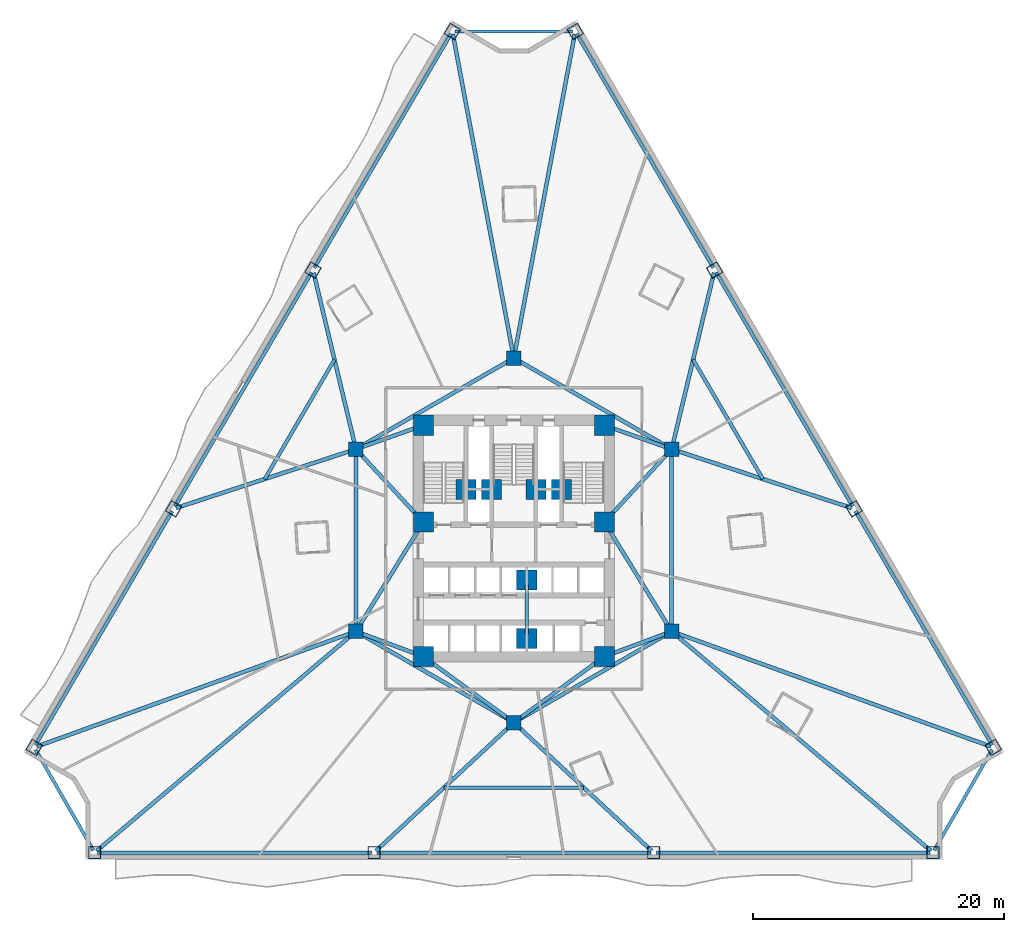
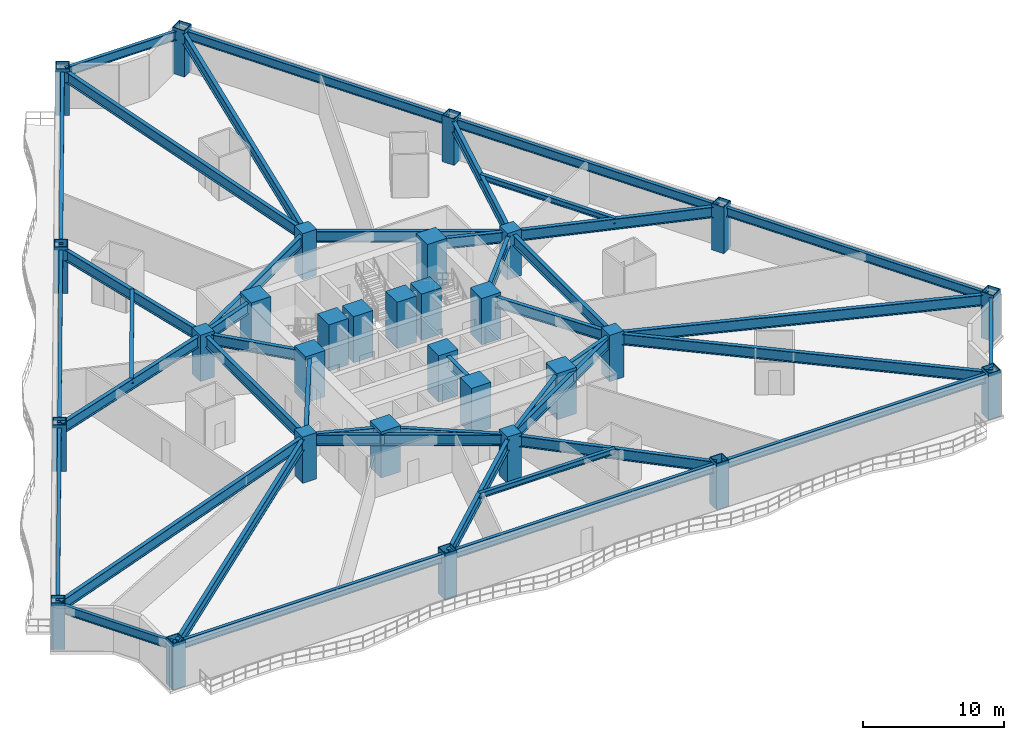
# One storey, part 1 of 11: 44 beams, 30 columns.
"""IFC4 building model written with IfcOpenShell, lengths in metres."""

from ifc_helpers import new_model, si_unit, direction, frame, origin, origin_2d, place, context, subcontext, project, spatial, rectangle, hollow_rectangle, i_section, extrude, material, material_profile, profile_set, type_object, element, save


model = new_model("IFC4")

# Units and contexts
model_context = context("Model", 3, precision=1e-05, world=origin(), true_north=direction((0.0, 1.0)))
body_context = subcontext(model_context, "Body", "Model", "MODEL_VIEW")
ifc_project = project(units=[si_unit("LENGTHUNIT", "METRE"), si_unit("AREAUNIT", "SQUARE_METRE"), si_unit("VOLUMEUNIT", "CUBIC_METRE"), si_unit("PLANEANGLEUNIT", "RADIAN"), si_unit("MASSUNIT", "GRAM", prefix="KILO")], contexts=[model_context])

# Site, building, storey
site_placement = place(None, origin())
site = spatial("IfcSite", under=ifc_project, at=site_placement, CompositionType="ELEMENT")
building_placement = place(site_placement, origin())
building = spatial("IfcBuilding", under=site, at=building_placement, Name="Apsidion Concourse Tower", CompositionType="ELEMENT")
storey_placement = place(building_placement, frame((0.0, 0.0, 46.39990234375)))
storey = spatial("IfcBuildingStorey", under=building, at=storey_placement, Name="L09", CompositionType="ELEMENT", Elevation=46.39990234375)

# Columns
ifc_material_1 = material(Name="Structural steel ASTM A572 Grade 50", Category="steel")
ifc_material_profile_1 = material_profile(ifc_material_1, hollow_rectangle(XDim=1.0, YDim=1.0, WallThickness=0.06005859375, at=origin_2d()), Name="BOX1000X1000X60")
ifc_profile_set_1 = profile_set([ifc_material_profile_1], Name="Structural steel ASTM A572 Grade 50")
column_type_1 = type_object("IfcColumnType", Name="COL-BOX-1000", PredefinedType="COLUMN", material=ifc_profile_set_1)
for number, where, z_axis, x_axis, name in (
    (1, (-4.887451171875, 40.481201171875, 0.0), (0.0, 0.0, 1.0), (0.50437692518, 0.863483594138, 0.0), "L09 Rotated Perimeter Column PC01"),
    (2, (-15.976318359375, 21.49365234375, 0.0), (0.0, 0.0, 1.0), (0.50437692518, 0.863483594138, 0.0), "L09 Rotated Perimeter Column PC02"),
    (3, (-27.065185546875, 2.50634765625, 0.0), (0.0, 0.0, 1.0), (0.50437692518, 0.863483594138, 0.0), "L09 Rotated Perimeter Column PC03"),
    (4, (-38.154052734375, -16.481201171875, 0.0), (0.0, 0.0, 1.0), (0.50437692518, 0.863483594138, 0.0), "L09 Rotated Perimeter Column PC04"),
    (5, (-33.35009765625, -24.85009765625, 0.0), (0.0, 0.0, 1.0), (1.0, 0.0, 0.0), "L09 Rotated Perimeter Column PC05"),
    (6, (-11.11669921875, -24.85009765625, 0.0), (0.0, 0.0, 1.0), (1.0, 0.0, 0.0), "L09 Rotated Perimeter Column PC06"),
    (7, (11.11669921875, -24.85009765625, 0.0), (0.0, 0.0, 1.0), (1.0, 0.0, 0.0), "L09 Rotated Perimeter Column PC07"),
    (8, (33.35009765625, -24.85009765625, 0.0), (0.0, 0.0, 1.0), (1.0, 0.0, 0.0), "L09 Rotated Perimeter Column PC08"),
    (9, (38.154052734375, -16.481201171875, 0.0), (0.0, 0.0, 1.0), (-0.50437692518, 0.863483594138, 0.0), "L09 Rotated Perimeter Column PC09"),
    (10, (27.065185546875, 2.50634765625, 0.0), (0.0, 0.0, 1.0), (-0.50437692518, 0.863483594138, 0.0), "L09 Rotated Perimeter Column PC10"),
    (11, (15.976318359375, 21.49365234375, 0.0), (0.0, 0.0, 1.0), (-0.50437692518, 0.863483594138, 0.0), "L09 Rotated Perimeter Column PC11"),
    (12, (4.887451171875, 40.481201171875, 0.0), (0.0, 0.0, 1.0), (-0.50437692518, 0.863483594138, 0.0), "L09 Rotated Perimeter Column PC12"),
):
    element("IfcColumn", number, at=place(storey_placement, frame(where, z_axis=z_axis, x_axis=x_axis)), inside=storey, type_object=column_type_1, Name=name, PredefinedType="COLUMN", context=body_context, shape_type="SweptSolid", body=[
        extrude(hollow_rectangle(XDim=1.0, YDim=1.0, WallThickness=0.06005859375, at=origin_2d()), origin(), (0.0, 0.0, 1.0), 4.0),
    ])
ifc_material_2 = material(Name="Concrete C50/60", Category="concrete")
ifc_material_profile_2 = material_profile(ifc_material_2, rectangle(XDim=1.14990234375, YDim=1.14990234375, at=origin_2d()), Name="RC 1150x1150")
ifc_profile_set_2 = profile_set([ifc_material_profile_2], Name="Concrete C50/60")
column_type_2 = type_object("IfcColumnType", Name="COL-RC-1150", PredefinedType="COLUMN", material=ifc_profile_set_2)
for number, where, z_axis, x_axis, name in (
    (13, (-12.56005859375, -7.25, 0.0), (0.0, 0.0, 1.0), (1.0, 0.0, 0.0), "L09 Interior Spine Column IC1"),
    (14, (12.56005859375, -7.25, 0.0), (0.0, 0.0, 1.0), (1.0, 0.0, 0.0), "L09 Interior Spine Column IC2"),
    (15, (12.56005859375, 7.25, 0.0), (0.0, 0.0, 1.0), (1.0, 0.0, 0.0), "L09 Interior Spine Column IC3"),
    (16, (0.0, 14.5, 0.0), (0.0, 0.0, 1.0), (1.0, 0.0, 0.0), "L09 Interior Spine Column IC4"),
    (17, (-12.56005859375, 7.25, 0.0), (0.0, 0.0, 1.0), (1.0, 0.0, 0.0), "L09 Interior Spine Column IC5"),
    (18, (0.0, -14.5, 0.0), (0.0, 0.0, 1.0), (1.0, 0.0, 0.0), "L09 Interior Spine Column IC6"),
):
    element("IfcColumn", number, at=place(storey_placement, frame(where, z_axis=z_axis, x_axis=x_axis)), inside=storey, type_object=column_type_2, Name=name, PredefinedType="COLUMN", context=body_context, shape_type="SweptSolid", body=[
        extrude(rectangle(XDim=1.14990234375, YDim=1.14990234375, at=origin_2d()), origin(), (0.0, 0.0, 1.0), 4.0),
    ])
ifc_material_3 = material(Name="Concrete C60/75", Category="concrete")
ifc_material_profile_3 = material_profile(ifc_material_3, rectangle(XDim=1.60009765625, YDim=1.60009765625, at=origin_2d()), Name="RC 1600x1600")
ifc_profile_set_3 = profile_set([ifc_material_profile_3], Name="Concrete C60/75")
column_type_3 = type_object("IfcColumnType", Name="COL-RC-1600", PredefinedType="COLUMN", material=ifc_profile_set_3)
for number, where, z_axis, x_axis, name in (
    (19, (-7.199951171875, -9.25, 0.0), (0.0, 0.0, 1.0), (1.0, 0.0, 0.0), "L09 Core Super-Column SC1"),
    (20, (7.199951171875, -9.25, 0.0), (0.0, 0.0, 1.0), (1.0, 0.0, 0.0), "L09 Core Super-Column SC2"),
    (21, (7.199951171875, 1.449951171875, 0.0), (0.0, 0.0, 1.0), (1.0, 0.0, 0.0), "L09 Core Super-Column SC3"),
    (22, (7.199951171875, 9.14990234375, 0.0), (0.0, 0.0, 1.0), (1.0, 0.0, 0.0), "L09 Core Super-Column SC4"),
    (23, (-7.199951171875, 9.14990234375, 0.0), (0.0, 0.0, 1.0), (1.0, 0.0, 0.0), "L09 Core Super-Column SC5"),
    (24, (-7.199951171875, 1.449951171875, 0.0), (0.0, 0.0, 1.0), (1.0, 0.0, 0.0), "L09 Core Super-Column SC6"),
    (25, (-3.800048828125, 4.050048828125, 0.0), (0.0, 0.0, 1.0), (1.0, 0.0, 0.0), "L09 Core Super-Column CC1"),
    (26, (3.800048828125, 4.050048828125, 0.0), (0.0, 0.0, 1.0), (1.0, 0.0, 0.0), "L09 Core Super-Column CC2"),
    (27, (-1.77490234375, 4.050048828125, 0.0), (0.0, 0.0, 1.0), (1.0, 0.0, 0.0), "L09 Core Super-Column CC3"),
    (28, (1.77490234375, 4.050048828125, 0.0), (0.0, 0.0, 1.0), (1.0, 0.0, 0.0), "L09 Core Super-Column CC4"),
    (29, (1.02490234375, -3.14990234375, 0.0), (0.0, 0.0, 1.0), (1.0, 0.0, 0.0), "L09 Core Super-Column CC5"),
    (30, (1.02490234375, -7.800048828125, 0.0), (0.0, 0.0, 1.0), (1.0, 0.0, 0.0), "L09 Core Super-Column CC6"),
):
    element("IfcColumn", number, at=place(storey_placement, frame(where, z_axis=z_axis, x_axis=x_axis)), inside=storey, type_object=column_type_3, Name=name, PredefinedType="COLUMN", context=body_context, shape_type="SweptSolid", body=[
        extrude(rectangle(XDim=1.60009765625, YDim=1.60009765625, at=origin_2d()), origin(), (0.0, 0.0, 1.0), 4.0),
    ])

# Beams
ifc_material_4 = material(Name="Structural steel ASTM A992 Grade 50", Category="steel")
ifc_material_profile_4 = material_profile(ifc_material_4, i_section(OverallWidth=0.283935546875, OverallDepth=0.47607421875, WebThickness=0.014892578125, FlangeThickness=0.02392578125, at=origin_2d()), Name="W18X106")
ifc_profile_set_4 = profile_set([ifc_material_profile_4], Name="Structural steel ASTM A992 Grade 50")
beam_type_1 = type_object("IfcBeamType", Name="BM-FL-W18H", PredefinedType="BEAM", material=ifc_profile_set_4)
beam_1_placement = place(storey_placement, frame((-14.268310546875, 14.371826171875, 3.51220703125), z_axis=(-0.504293469124, -0.863532336974, 0.0), x_axis=(0.863532336974, -0.504293469124, 0.0)))
element("IfcBeam", 31, at=beam_1_placement, inside=storey, type_object=beam_type_1, Name="L09 Secondary Floor Beam SEC-F1", PredefinedType="BEAM", context=body_context, shape_type="SweptSolid", body=[
    extrude(i_section(OverallWidth=0.283935546875, OverallDepth=0.47607421875, WebThickness=0.014892578125, FlangeThickness=0.02392578125, at=origin_2d()), origin(), (0.0, 0.0, 1.0), 10.993896484375),
])
beam_2_placement = place(storey_placement, frame((-5.558349609375, -19.675048828125, 3.51220703125), z_axis=(1.0, 0.0, 0.0), x_axis=(0.0, 1.0, 0.0)))
element("IfcBeam", 32, at=beam_2_placement, inside=storey, type_object=beam_type_1, Name="L09 Secondary Floor Beam SEC-F2", PredefinedType="BEAM", context=body_context, shape_type="SweptSolid", body=[
    extrude(i_section(OverallWidth=0.283935546875, OverallDepth=0.47607421875, WebThickness=0.014892578125, FlangeThickness=0.02392578125, at=origin_2d()), origin(), (0.0, 0.0, 1.0), 11.11669921875),
])
beam_3_placement = place(storey_placement, frame((19.8125, 4.878173828125, 3.51220703125), z_axis=(-0.504293469124, 0.863532336974, 0.0), x_axis=(-0.863532336974, -0.504293469124, 0.0)))
element("IfcBeam", 33, at=beam_3_placement, inside=storey, type_object=beam_type_1, Name="L09 Secondary Floor Beam SEC-F3", PredefinedType="BEAM", context=body_context, shape_type="SweptSolid", body=[
    extrude(i_section(OverallWidth=0.283935546875, OverallDepth=0.47607421875, WebThickness=0.014892578125, FlangeThickness=0.02392578125, at=origin_2d()), origin(), (0.0, 0.0, 1.0), 10.993896484375),
])
ifc_material_profile_5 = material_profile(ifc_material_4, i_section(OverallWidth=0.31005859375, OverallDepth=0.931884765625, WebThickness=0.02099609375, FlangeThickness=0.034423828125, at=origin_2d()), Name="W36X210")
ifc_profile_set_5 = profile_set([ifc_material_profile_5], Name="Structural steel ASTM A992 Grade 50")
beam_type_2 = type_object("IfcBeamType", Name="BM-G-W36", PredefinedType="USERDEFINED", material=ifc_profile_set_5)
beam_4_placement = place(storey_placement, frame((-12.185302734375, -7.389892578125, 3.2841796875), z_axis=(0.936913021145, -0.349562570664, 0.0), x_axis=(0.349562570664, 0.936913021145, 0.0)))
element("IfcBeam", 34, at=beam_4_placement, inside=storey, type_object=beam_type_2, Name="L09 Core Coupling Girder IC1-SC1", ObjectType="GIRDER", PredefinedType="USERDEFINED", context=body_context, shape_type="SweptSolid", body=[
    extrude(i_section(OverallWidth=0.31005859375, OverallDepth=0.931884765625, WebThickness=0.02099609375, FlangeThickness=0.034423828125, at=origin_2d()), origin(), (0.0, 0.0, 1.0), 4.921142578125),
])
beam_5_placement = place(storey_placement, frame((-12.35009765625, -6.909423828125, 3.2841796875), z_axis=(0.524524009763, 0.851395656074, 0.0), x_axis=(-0.851395656074, 0.524524009763, 0.0)))
element("IfcBeam", 35, at=beam_5_placement, inside=storey, type_object=beam_type_2, Name="L09 Core Coupling Girder IC1-SC6", ObjectType="GIRDER", PredefinedType="USERDEFINED", context=body_context, shape_type="SweptSolid", body=[
    extrude(i_section(OverallWidth=0.31005859375, OverallDepth=0.931884765625, WebThickness=0.02099609375, FlangeThickness=0.034423828125, at=origin_2d()), origin(), (0.0, 0.0, 1.0), 9.41845703125),
])
beam_6_placement = place(storey_placement, frame((12.185302734375, -7.389892578125, 3.2841796875), z_axis=(-0.936913021145, -0.349562570664, 0.0), x_axis=(0.349562570664, -0.936913021145, 0.0)))
element("IfcBeam", 36, at=beam_6_placement, inside=storey, type_object=beam_type_2, Name="L09 Core Coupling Girder IC2-SC2", ObjectType="GIRDER", PredefinedType="USERDEFINED", context=body_context, shape_type="SweptSolid", body=[
    extrude(i_section(OverallWidth=0.31005859375, OverallDepth=0.931884765625, WebThickness=0.02099609375, FlangeThickness=0.034423828125, at=origin_2d()), origin(), (0.0, 0.0, 1.0), 4.921142578125),
])
beam_7_placement = place(storey_placement, frame((12.35009765625, -6.909423828125, 3.2841796875), z_axis=(-0.524524009763, 0.851395656074, 0.0), x_axis=(-0.851395656074, -0.524524009763, 0.0)))
element("IfcBeam", 37, at=beam_7_placement, inside=storey, type_object=beam_type_2, Name="L09 Core Coupling Girder IC2-SC3", ObjectType="GIRDER", PredefinedType="USERDEFINED", context=body_context, shape_type="SweptSolid", body=[
    extrude(i_section(OverallWidth=0.31005859375, OverallDepth=0.931884765625, WebThickness=0.02099609375, FlangeThickness=0.034423828125, at=origin_2d()), origin(), (0.0, 0.0, 1.0), 9.41845703125),
])
beam_8_placement = place(storey_placement, frame((12.28857421875, 6.956298828125, 3.2841796875), z_axis=(-0.678712876106, -0.73440372535, 0.0), x_axis=(0.73440372535, -0.678712876106, 0.0)))
element("IfcBeam", 38, at=beam_8_placement, inside=storey, type_object=beam_type_2, Name="L09 Core Coupling Girder IC3-SC3", ObjectType="GIRDER", PredefinedType="USERDEFINED", context=body_context, shape_type="SweptSolid", body=[
    extrude(i_section(OverallWidth=0.31005859375, OverallDepth=0.931884765625, WebThickness=0.02099609375, FlangeThickness=0.034423828125, at=origin_2d()), origin(), (0.0, 0.0, 1.0), 7.097412109375),
])
beam_9_placement = place(storey_placement, frame((12.18310546875, 7.383544921875, 3.2841796875), z_axis=(-0.942533844539, 0.334110688094, 0.0), x_axis=(-0.334110688094, -0.942533844539, 0.0)))
element("IfcBeam", 39, at=beam_9_placement, inside=storey, type_object=beam_type_2, Name="L09 Core Coupling Girder IC3-SC4", ObjectType="GIRDER", PredefinedType="USERDEFINED", context=body_context, shape_type="SweptSolid", body=[
    extrude(i_section(OverallWidth=0.31005859375, OverallDepth=0.931884765625, WebThickness=0.02099609375, FlangeThickness=0.034423828125, at=origin_2d()), origin(), (0.0, 0.0, 1.0), 4.886962890625),
])
beam_10_placement = place(storey_placement, frame((-12.28857421875, 6.956298828125, 3.2841796875), z_axis=(0.678712876106, -0.73440372535, 0.0), x_axis=(0.73440372535, 0.678712876106, 0.0)))
element("IfcBeam", 40, at=beam_10_placement, inside=storey, type_object=beam_type_2, Name="L09 Core Coupling Girder IC5-SC6", ObjectType="GIRDER", PredefinedType="USERDEFINED", context=body_context, shape_type="SweptSolid", body=[
    extrude(i_section(OverallWidth=0.31005859375, OverallDepth=0.931884765625, WebThickness=0.02099609375, FlangeThickness=0.034423828125, at=origin_2d()), origin(), (0.0, 0.0, 1.0), 7.097412109375),
])
beam_11_placement = place(storey_placement, frame((-12.18310546875, 7.383544921875, 3.2841796875), z_axis=(0.942533844539, 0.334110688094, 0.0), x_axis=(-0.334110688094, 0.942533844539, 0.0)))
element("IfcBeam", 41, at=beam_11_placement, inside=storey, type_object=beam_type_2, Name="L09 Core Coupling Girder IC5-SC5", ObjectType="GIRDER", PredefinedType="USERDEFINED", context=body_context, shape_type="SweptSolid", body=[
    extrude(i_section(OverallWidth=0.31005859375, OverallDepth=0.931884765625, WebThickness=0.02099609375, FlangeThickness=0.034423828125, at=origin_2d()), origin(), (0.0, 0.0, 1.0), 4.886962890625),
])
for number, where, z_axis, x_axis, name in (
    (42, (-0.3232421875, -14.264404296875, 3.2841796875), (-0.807993498909, 0.589191399905, 0.0), (-0.589191399905, -0.807993498909, 0.0), "L09 Core Coupling Girder IC6-SC1"),
    (43, (0.3232421875, -14.264404296875, 3.2841796875), (0.807993498909, 0.589191399905, 0.0), (-0.589191399905, 0.807993498909, 0.0), "L09 Core Coupling Girder IC6-SC2"),
):
    element("IfcBeam", number, at=place(storey_placement, frame(where, z_axis=z_axis, x_axis=x_axis)), inside=storey, type_object=beam_type_2, Name=name, ObjectType="GIRDER", PredefinedType="USERDEFINED", context=body_context, shape_type="SweptSolid", body=[
        extrude(i_section(OverallWidth=0.31005859375, OverallDepth=0.931884765625, WebThickness=0.02099609375, FlangeThickness=0.034423828125, at=origin_2d()), origin(), (0.0, 0.0, 1.0), 8.11083984375),
    ])
beam_12_placement = place(storey_placement, frame((-12.56005859375, -6.85009765625, 3.2841796875), z_axis=(0.0, 1.0, 0.0), x_axis=(-1.0, 0.0, 0.0)))
element("IfcBeam", 44, at=beam_12_placement, inside=storey, type_object=beam_type_2, Name="L09 Core Coupling Girder IC1-IC5", ObjectType="GIRDER", PredefinedType="USERDEFINED", context=body_context, shape_type="SweptSolid", body=[
    extrude(i_section(OverallWidth=0.31005859375, OverallDepth=0.931884765625, WebThickness=0.02099609375, FlangeThickness=0.034423828125, at=origin_2d()), origin(), (0.0, 0.0, 1.0), 13.7001953125),
])
for number, where, z_axis, x_axis, name in (
    (45, (-12.213623046875, 7.449951171875, 3.2841796875), (0.866070471464, 0.499921932364, 0.0), (-0.499921932364, 0.866070471464, 0.0), "L09 Core Coupling Girder IC5-IC4"),
    (46, (0.346435546875, 14.300048828125, 3.2841796875), (0.866070471464, -0.499921932364, 0.0), (0.499921932364, 0.866070471464, 0.0), "L09 Core Coupling Girder IC4-IC3"),
):
    element("IfcBeam", number, at=place(storey_placement, frame(where, z_axis=z_axis, x_axis=x_axis)), inside=storey, type_object=beam_type_2, Name=name, ObjectType="GIRDER", PredefinedType="USERDEFINED", context=body_context, shape_type="SweptSolid", body=[
        extrude(i_section(OverallWidth=0.31005859375, OverallDepth=0.931884765625, WebThickness=0.02099609375, FlangeThickness=0.034423828125, at=origin_2d()), origin(), (0.0, 0.0, 1.0), 13.702392578125),
    ])
beam_13_placement = place(storey_placement, frame((12.56005859375, 6.85009765625, 3.2841796875), z_axis=(0.0, -1.0, 0.0), x_axis=(1.0, 0.0, 0.0)))
element("IfcBeam", 47, at=beam_13_placement, inside=storey, type_object=beam_type_2, Name="L09 Core Coupling Girder IC3-IC2", ObjectType="GIRDER", PredefinedType="USERDEFINED", context=body_context, shape_type="SweptSolid", body=[
    extrude(i_section(OverallWidth=0.31005859375, OverallDepth=0.931884765625, WebThickness=0.02099609375, FlangeThickness=0.034423828125, at=origin_2d()), origin(), (0.0, 0.0, 1.0), 13.7001953125),
])
for number, where, z_axis, x_axis, name in (
    (48, (12.213623046875, -7.449951171875, 3.2841796875), (-0.866070471464, -0.499921932364, 0.0), (0.499921932364, -0.866070471464, 0.0), "L09 Core Coupling Girder IC2-IC6"),
    (49, (-0.346435546875, -14.300048828125, 3.2841796875), (-0.866070471464, 0.499921932364, 0.0), (-0.499921932364, -0.866070471464, 0.0), "L09 Core Coupling Girder IC6-IC1"),
):
    element("IfcBeam", number, at=place(storey_placement, frame(where, z_axis=z_axis, x_axis=x_axis)), inside=storey, type_object=beam_type_2, Name=name, ObjectType="GIRDER", PredefinedType="USERDEFINED", context=body_context, shape_type="SweptSolid", body=[
        extrude(i_section(OverallWidth=0.31005859375, OverallDepth=0.931884765625, WebThickness=0.02099609375, FlangeThickness=0.034423828125, at=origin_2d()), origin(), (0.0, 0.0, 1.0), 13.702392578125),
    ])
beam_14_placement = place(storey_placement, frame((1.02490234375, -3.550048828125, 3.2841796875), z_axis=(0.0, -1.0, 0.0), x_axis=(1.0, 0.0, 0.0)))
element("IfcBeam", 50, at=beam_14_placement, inside=storey, type_object=beam_type_2, Name="L09 Core Coupling Girder CC5-CC6", ObjectType="GIRDER", PredefinedType="USERDEFINED", context=body_context, shape_type="SweptSolid", body=[
    extrude(i_section(OverallWidth=0.31005859375, OverallDepth=0.931884765625, WebThickness=0.02099609375, FlangeThickness=0.034423828125, at=origin_2d()), origin(), (0.0, 0.0, 1.0), 3.849853515625),
])
beam_15_placement = place(storey_placement, frame((-0.040771484375, 14.71630859375, 3.2841796875), z_axis=(-0.184866293989, 0.982763681333, 0.0), x_axis=(-0.982763681333, -0.184866293989, 0.0)))
element("IfcBeam", 51, at=beam_15_placement, inside=storey, type_object=beam_type_2, Name="L09 Radial Floor Girder RAD-01", ObjectType="GIRDER", PredefinedType="USERDEFINED", context=body_context, shape_type="SweptSolid", body=[
    extrude(i_section(OverallWidth=0.31005859375, OverallDepth=0.931884765625, WebThickness=0.02099609375, FlangeThickness=0.034423828125, at=origin_2d()), origin(), (0.0, 0.0, 1.0), 25.99658203125),
])
beam_16_placement = place(storey_placement, frame((-12.611328125, 7.4638671875, 3.2841796875), z_axis=(-0.233233219452, 0.972420827288, 0.0), x_axis=(-0.972420827288, -0.233233219452, 0.0)))
element("IfcBeam", 52, at=beam_16_placement, inside=storey, type_object=beam_type_2, Name="L09 Radial Floor Girder RAD-02", ObjectType="GIRDER", PredefinedType="USERDEFINED", context=body_context, shape_type="SweptSolid", body=[
    extrude(i_section(OverallWidth=0.31005859375, OverallDepth=0.931884765625, WebThickness=0.02099609375, FlangeThickness=0.034423828125, at=origin_2d()), origin(), (0.0, 0.0, 1.0), 14.207763671875),
])
beam_17_placement = place(storey_placement, frame((-12.76904296875, 7.181640625, 3.2841796875), z_axis=(-0.950465100465, -0.310831293145, 0.0), x_axis=(0.310831293145, -0.950465100465, 0.0)))
element("IfcBeam", 53, at=beam_17_placement, inside=storey, type_object=beam_type_2, Name="L09 Radial Floor Girder RAD-03", ObjectType="GIRDER", PredefinedType="USERDEFINED", context=body_context, shape_type="SweptSolid", body=[
    extrude(i_section(OverallWidth=0.31005859375, OverallDepth=0.931884765625, WebThickness=0.02099609375, FlangeThickness=0.034423828125, at=origin_2d()), origin(), (0.0, 0.0, 1.0), 14.8212890625),
])
beam_18_placement = place(storey_placement, frame((-12.76708984375, -7.32470703125, 3.2841796875), z_axis=(-0.940684701446, -0.339282024968, 0.0), x_axis=(0.339282024968, -0.940684701446, 0.0)))
element("IfcBeam", 54, at=beam_18_placement, inside=storey, type_object=beam_type_2, Name="L09 Radial Floor Girder RAD-04", ObjectType="GIRDER", PredefinedType="USERDEFINED", context=body_context, shape_type="SweptSolid", body=[
    extrude(i_section(OverallWidth=0.31005859375, OverallDepth=0.931884765625, WebThickness=0.02099609375, FlangeThickness=0.034423828125, at=origin_2d()), origin(), (0.0, 0.0, 1.0), 26.767578125),
])
beam_19_placement = place(storey_placement, frame((-12.727783203125, -7.39208984375, 3.2841796875), z_axis=(-0.763231804576, -0.646124765416, 0.0), x_axis=(0.646124765416, -0.763231804576, 0.0)))
element("IfcBeam", 55, at=beam_19_placement, inside=storey, type_object=beam_type_2, Name="L09 Radial Floor Girder RAD-05", ObjectType="GIRDER", PredefinedType="USERDEFINED", context=body_context, shape_type="SweptSolid", body=[
    extrude(i_section(OverallWidth=0.31005859375, OverallDepth=0.931884765625, WebThickness=0.02099609375, FlangeThickness=0.034423828125, at=origin_2d()), origin(), (0.0, 0.0, 1.0), 26.799560546875),
])
for number, where, z_axis, x_axis, name in (
    (56, (-0.160888671875, -14.64990234375, 3.2841796875), (-0.731899098402, -0.681413024353, 0.0), (0.681413024353, -0.731899098402, 0.0), "L09 Radial Floor Girder RAD-06"),
    (57, (0.160888671875, -14.64990234375, 3.2841796875), (0.731899098402, -0.681413024353, 0.0), (0.681413024353, 0.731899098402, 0.0), "L09 Radial Floor Girder RAD-07"),
):
    element("IfcBeam", number, at=place(storey_placement, frame(where, z_axis=z_axis, x_axis=x_axis)), inside=storey, type_object=beam_type_2, Name=name, ObjectType="GIRDER", PredefinedType="USERDEFINED", context=body_context, shape_type="SweptSolid", body=[
        extrude(i_section(OverallWidth=0.31005859375, OverallDepth=0.931884765625, WebThickness=0.02099609375, FlangeThickness=0.034423828125, at=origin_2d()), origin(), (0.0, 0.0, 1.0), 14.749267578125),
    ])
beam_20_placement = place(storey_placement, frame((12.727783203125, -7.39208984375, 3.2841796875), z_axis=(0.763231804576, -0.646124765416, 0.0), x_axis=(0.646124765416, 0.763231804576, 0.0)))
element("IfcBeam", 58, at=beam_20_placement, inside=storey, type_object=beam_type_2, Name="L09 Radial Floor Girder RAD-08", ObjectType="GIRDER", PredefinedType="USERDEFINED", context=body_context, shape_type="SweptSolid", body=[
    extrude(i_section(OverallWidth=0.31005859375, OverallDepth=0.931884765625, WebThickness=0.02099609375, FlangeThickness=0.034423828125, at=origin_2d()), origin(), (0.0, 0.0, 1.0), 26.799560546875),
])
beam_21_placement = place(storey_placement, frame((12.76708984375, -7.32470703125, 3.2841796875), z_axis=(0.940684701446, -0.339282024968, 0.0), x_axis=(0.339282024968, 0.940684701446, 0.0)))
element("IfcBeam", 59, at=beam_21_placement, inside=storey, type_object=beam_type_2, Name="L09 Radial Floor Girder RAD-09", ObjectType="GIRDER", PredefinedType="USERDEFINED", context=body_context, shape_type="SweptSolid", body=[
    extrude(i_section(OverallWidth=0.31005859375, OverallDepth=0.931884765625, WebThickness=0.02099609375, FlangeThickness=0.034423828125, at=origin_2d()), origin(), (0.0, 0.0, 1.0), 26.767578125),
])
beam_22_placement = place(storey_placement, frame((12.76904296875, 7.181640625, 3.2841796875), z_axis=(0.950465100465, -0.310831293145, 0.0), x_axis=(0.310831293145, 0.950465100465, 0.0)))
element("IfcBeam", 60, at=beam_22_placement, inside=storey, type_object=beam_type_2, Name="L09 Radial Floor Girder RAD-10", ObjectType="GIRDER", PredefinedType="USERDEFINED", context=body_context, shape_type="SweptSolid", body=[
    extrude(i_section(OverallWidth=0.31005859375, OverallDepth=0.931884765625, WebThickness=0.02099609375, FlangeThickness=0.034423828125, at=origin_2d()), origin(), (0.0, 0.0, 1.0), 14.8212890625),
])
beam_23_placement = place(storey_placement, frame((12.611328125, 7.4638671875, 3.2841796875), z_axis=(0.233233219452, 0.972420827288, 0.0), x_axis=(-0.972420827288, 0.233233219452, 0.0)))
element("IfcBeam", 61, at=beam_23_placement, inside=storey, type_object=beam_type_2, Name="L09 Radial Floor Girder RAD-11", ObjectType="GIRDER", PredefinedType="USERDEFINED", context=body_context, shape_type="SweptSolid", body=[
    extrude(i_section(OverallWidth=0.31005859375, OverallDepth=0.931884765625, WebThickness=0.02099609375, FlangeThickness=0.034423828125, at=origin_2d()), origin(), (0.0, 0.0, 1.0), 14.207763671875),
])
beam_24_placement = place(storey_placement, frame((0.040771484375, 14.71630859375, 3.2841796875), z_axis=(0.184866293989, 0.982763681333, 0.0), x_axis=(-0.982763681333, 0.184866293989, 0.0)))
element("IfcBeam", 62, at=beam_24_placement, inside=storey, type_object=beam_type_2, Name="L09 Radial Floor Girder RAD-12", ObjectType="GIRDER", PredefinedType="USERDEFINED", context=body_context, shape_type="SweptSolid", body=[
    extrude(i_section(OverallWidth=0.31005859375, OverallDepth=0.931884765625, WebThickness=0.02099609375, FlangeThickness=0.034423828125, at=origin_2d()), origin(), (0.0, 0.0, 1.0), 25.99658203125),
])
ifc_material_profile_6 = material_profile(ifc_material_4, i_section(OverallWidth=0.26806640625, OverallDepth=0.77001953125, WebThickness=0.015625, FlangeThickness=0.025390625, at=origin_2d()), Name="W30X132")
ifc_profile_set_6 = profile_set([ifc_material_profile_6], Name="Structural steel ASTM A992 Grade 50")
beam_type_3 = type_object("IfcBeamType", Name="BM-SP-W30", PredefinedType="SPANDREL", material=ifc_profile_set_6)
for number, where, z_axis, x_axis, name in (
    (63, (-4.998291015625, 40.291015625, 3.364990234375), (-0.504316170532, -0.863519079198, 0.0), (0.863519079198, -0.504316170532, 0.0), "L09 Perimeter Spandrel Girder SP-01"),
    (64, (-16.087158203125, 21.3037109375, 3.364990234375), (-0.504316170532, -0.863519079198, 0.0), (0.863519079198, -0.504316170532, 0.0), "L09 Perimeter Spandrel Girder SP-02"),
    (65, (-27.176025390625, 2.31640625, 3.364990234375), (-0.504316170532, -0.863519079198, 0.0), (0.863519079198, -0.504316170532, 0.0), "L09 Perimeter Spandrel Girder SP-03"),
):
    element("IfcBeam", number, at=place(storey_placement, frame(where, z_axis=z_axis, x_axis=x_axis)), inside=storey, type_object=beam_type_3, Name=name, PredefinedType="SPANDREL", context=body_context, shape_type="SweptSolid", body=[
        extrude(i_section(OverallWidth=0.26806640625, OverallDepth=0.77001953125, WebThickness=0.015625, FlangeThickness=0.025390625, at=origin_2d()), origin(), (0.0, 0.0, 1.0), 21.54833984375),
    ])
beam_25_placement = place(storey_placement, frame((-38.04443359375, -16.671875, 3.364990234375), z_axis=(0.497839457155, -0.867269205553, 0.0), x_axis=(0.867269205553, 0.497839457155, 0.0)))
element("IfcBeam", 66, at=beam_25_placement, inside=storey, type_object=beam_type_3, Name="L09 Perimeter Spandrel Girder SP-04", PredefinedType="SPANDREL", context=body_context, shape_type="SweptSolid", body=[
    extrude(i_section(OverallWidth=0.26806640625, OverallDepth=0.77001953125, WebThickness=0.015625, FlangeThickness=0.025390625, at=origin_2d()), origin(), (0.0, 0.0, 1.0), 9.209716796875),
])
beam_26_placement = place(storey_placement, frame((-33.1298828125, -24.85009765625, 3.364990234375), z_axis=(1.0, 0.0, 0.0), x_axis=(0.0, 1.0, 0.0)))
element("IfcBeam", 67, at=beam_26_placement, inside=storey, type_object=beam_type_3, Name="L09 Perimeter Spandrel Girder SP-05", PredefinedType="SPANDREL", context=body_context, shape_type="SweptSolid", body=[
    extrude(i_section(OverallWidth=0.26806640625, OverallDepth=0.77001953125, WebThickness=0.015625, FlangeThickness=0.025390625, at=origin_2d()), origin(), (0.0, 0.0, 1.0), 21.793212890625),
])
beam_27_placement = place(storey_placement, frame((-10.896728515625, -24.85009765625, 3.364990234375), z_axis=(1.0, 0.0, 0.0), x_axis=(0.0, 1.0, 0.0)))
element("IfcBeam", 68, at=beam_27_placement, inside=storey, type_object=beam_type_3, Name="L09 Perimeter Spandrel Girder SP-06", PredefinedType="SPANDREL", context=body_context, shape_type="SweptSolid", body=[
    extrude(i_section(OverallWidth=0.26806640625, OverallDepth=0.77001953125, WebThickness=0.015625, FlangeThickness=0.025390625, at=origin_2d()), origin(), (0.0, 0.0, 1.0), 21.79345703125),
])
beam_28_placement = place(storey_placement, frame((11.336669921875, -24.85009765625, 3.364990234375), z_axis=(1.0, 0.0, 0.0), x_axis=(0.0, 1.0, 0.0)))
element("IfcBeam", 69, at=beam_28_placement, inside=storey, type_object=beam_type_3, Name="L09 Perimeter Spandrel Girder SP-07", PredefinedType="SPANDREL", context=body_context, shape_type="SweptSolid", body=[
    extrude(i_section(OverallWidth=0.26806640625, OverallDepth=0.77001953125, WebThickness=0.015625, FlangeThickness=0.025390625, at=origin_2d()), origin(), (0.0, 0.0, 1.0), 21.793212890625),
])
beam_29_placement = place(storey_placement, frame((33.45947265625, -24.6591796875, 3.364990234375), z_axis=(0.497839457155, 0.867269205553, 0.0), x_axis=(-0.867269205553, 0.497839457155, 0.0)))
element("IfcBeam", 70, at=beam_29_placement, inside=storey, type_object=beam_type_3, Name="L09 Perimeter Spandrel Girder SP-08", PredefinedType="SPANDREL", context=body_context, shape_type="SweptSolid", body=[
    extrude(i_section(OverallWidth=0.26806640625, OverallDepth=0.77001953125, WebThickness=0.015625, FlangeThickness=0.025390625, at=origin_2d()), origin(), (0.0, 0.0, 1.0), 9.209716796875),
])
for number, where, z_axis, x_axis, name in (
    (71, (38.043212890625, -16.291015625, 3.364990234375), (-0.504316170532, 0.863519079198, 0.0), (-0.863519079198, -0.504316170532, 0.0), "L09 Perimeter Spandrel Girder SP-09"),
    (72, (26.954345703125, 2.6962890625, 3.364990234375), (-0.504316170532, 0.863519079198, 0.0), (-0.863519079198, -0.504316170532, 0.0), "L09 Perimeter Spandrel Girder SP-10"),
    (73, (15.865478515625, 21.68359375, 3.364990234375), (-0.504316170532, 0.863519079198, 0.0), (-0.863519079198, -0.504316170532, 0.0), "L09 Perimeter Spandrel Girder SP-11"),
):
    element("IfcBeam", number, at=place(storey_placement, frame(where, z_axis=z_axis, x_axis=x_axis)), inside=storey, type_object=beam_type_3, Name=name, PredefinedType="SPANDREL", context=body_context, shape_type="SweptSolid", body=[
        extrude(i_section(OverallWidth=0.26806640625, OverallDepth=0.77001953125, WebThickness=0.015625, FlangeThickness=0.025390625, at=origin_2d()), origin(), (0.0, 0.0, 1.0), 21.54833984375),
    ])
beam_30_placement = place(storey_placement, frame((4.66748046875, 40.481201171875, 3.364990234375), z_axis=(-1.0, 0.0, 0.0), x_axis=(0.0, -1.0, 0.0)))
element("IfcBeam", 74, at=beam_30_placement, inside=storey, type_object=beam_type_3, Name="L09 Perimeter Spandrel Girder SP-12", PredefinedType="SPANDREL", context=body_context, shape_type="SweptSolid", body=[
    extrude(i_section(OverallWidth=0.26806640625, OverallDepth=0.77001953125, WebThickness=0.015625, FlangeThickness=0.025390625, at=origin_2d()), origin(), (0.0, 0.0, 1.0), 9.3349609375),
])

save(model, "model.ifc")
